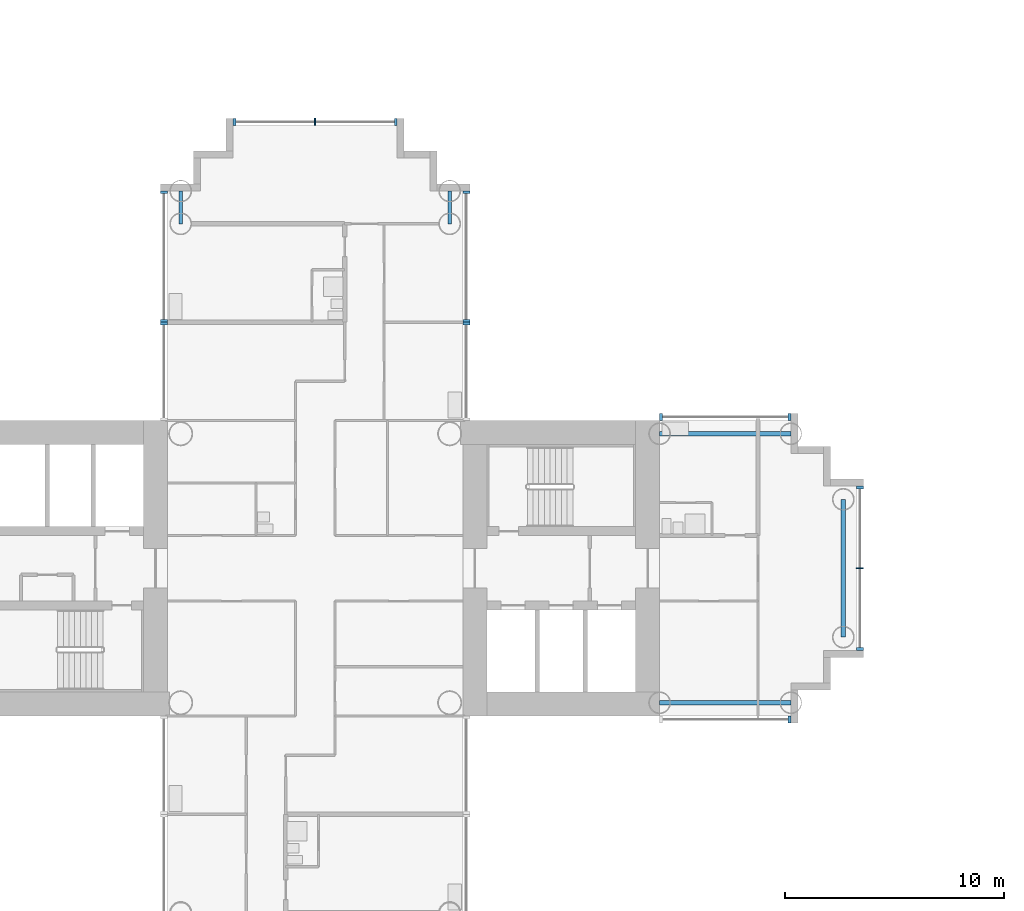
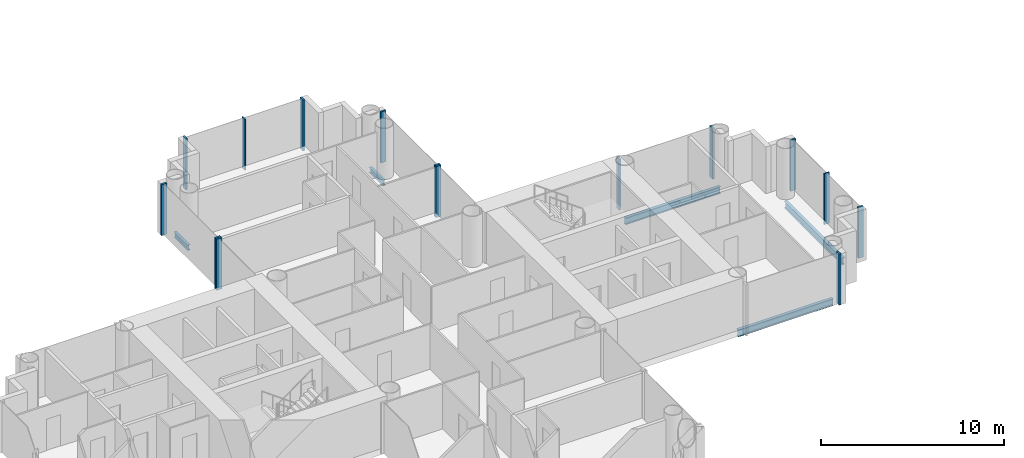
# One storey, part 4 of 22: 15 members, 5 beams, 8 elements without a shape of their own.
"""IFC4 building model written with IfcOpenShell, lengths in metres."""

from ifc_helpers import new_model, si_unit, direction, frame, origin, origin_2d, place, context, subcontext, project, spatial, rectangle, i_section, extrude, material, layer, layer_set, material_profile, profile_set, type_object, element, aggregate, save


model = new_model("IFC4")

# Units and contexts
model_context = context("Model", 3, precision=1e-05, world=origin(), true_north=direction((0.0, 1.0)))
body_context = subcontext(model_context, "Body", "Model", "MODEL_VIEW")
ifc_project = project(units=[si_unit("LENGTHUNIT", "METRE"), si_unit("AREAUNIT", "SQUARE_METRE"), si_unit("VOLUMEUNIT", "CUBIC_METRE"), si_unit("PLANEANGLEUNIT", "RADIAN"), si_unit("MASSUNIT", "GRAM", prefix="KILO")], contexts=[model_context])

# Site, building, storey
site_placement = place(None, origin())
site = spatial("IfcSite", under=ifc_project, at=site_placement, CompositionType="ELEMENT")
building_placement = place(site_placement, origin())
building = spatial("IfcBuilding", under=site, at=building_placement, Name="Ipe Terrace Towers", CompositionType="ELEMENT")
storey_placement = place(building_placement, frame((0.0, 0.0, 55.10009765625)))
storey = spatial("IfcBuildingStorey", under=building, at=storey_placement, Name="L14", CompositionType="ELEMENT", Elevation=55.10009765625)

# Beams
ifc_material_1 = material(Name="Steel S355", Category="steel")
ifc_material_profile_1 = material_profile(ifc_material_1, i_section(OverallWidth=0.175048828125, OverallDepth=0.35009765625, WebThickness=0.007080078125, FlangeThickness=0.010986328125, at=origin_2d()), Name="H-350x175x7x11")
ifc_profile_set_1 = profile_set([ifc_material_profile_1], Name="Steel S355")
beam_type_1 = type_object("IfcBeamType", Name="H04 EDGE BEAM H-350x175x7x11", PredefinedType="BEAM", material=ifc_profile_set_1)
for number, where, z_axis, x_axis, name in (
    (1, (-29.85009765625, 15.75, -0.5751953125), (0.0, 1.0, 0.0), (-1.0, 0.0, 0.0), "Edge beam T1-EB-B03-B05"),
    (2, (-42.14990234375, 15.75, -0.5751953125), (0.0, 1.0, 0.0), (-1.0, 0.0, 0.0), "Edge beam T1-EB-B04-B06"),
):
    element("IfcBeam", number, at=place(storey_placement, frame(where, z_axis=z_axis, x_axis=x_axis)), inside=storey, type_object=beam_type_1, Name=name, PredefinedType="BEAM", context=body_context, shape_type="SweptSolid", body=[
        extrude(i_section(OverallWidth=0.175048828125, OverallDepth=0.35009765625, WebThickness=0.007080078125, FlangeThickness=0.010986328125, at=origin_2d()), origin(), (0.0, 0.0, 1.0), 1.5),
    ])
ifc_material_2 = material(Name="Steel S355", Category="steel")
ifc_material_profile_2 = material_profile(ifc_material_2, i_section(OverallWidth=0.199951171875, OverallDepth=0.449951171875, WebThickness=0.009033203125, FlangeThickness=0.013916015625, at=origin_2d()), Name="H-450x200x9x14")
ifc_profile_set_2 = profile_set([ifc_material_profile_2], Name="Steel S355")
beam_type_2 = type_object("IfcBeamType", Name="H08 EDGE BEAM H-450x200x9x14", PredefinedType="BEAM", material=ifc_profile_set_2)
for number, where, z_axis, x_axis, name in (
    (3, (-20.25, -6.14990234375, -0.625), (1.0, 0.0, 0.0), (0.0, 1.0, 0.0), "Edge beam T1-EB-A01-A03"),
    (4, (-20.25, 6.14990234375, -0.625), (1.0, 0.0, 0.0), (0.0, 1.0, 0.0), "Edge beam T1-EB-A02-A04"),
):
    element("IfcBeam", number, at=place(storey_placement, frame(where, z_axis=z_axis, x_axis=x_axis)), inside=storey, type_object=beam_type_2, Name=name, PredefinedType="BEAM", context=body_context, shape_type="SweptSolid", body=[
        extrude(i_section(OverallWidth=0.199951171875, OverallDepth=0.449951171875, WebThickness=0.009033203125, FlangeThickness=0.013916015625, at=origin_2d()), origin(), (0.0, 0.0, 1.0), 6.0),
    ])
beam_placement = place(storey_placement, frame((-11.85009765625, -3.14990234375, -0.625), z_axis=(0.0, 1.0, 0.0), x_axis=(-1.0, 0.0, 0.0)))
element("IfcBeam", 5, at=beam_placement, inside=storey, type_object=beam_type_2, Name="Edge beam T1-EB-A05-A06", PredefinedType="BEAM", context=body_context, shape_type="SweptSolid", body=[
    extrude(i_section(OverallWidth=0.199951171875, OverallDepth=0.449951171875, WebThickness=0.009033203125, FlangeThickness=0.013916015625, at=origin_2d()), origin(), (0.0, 0.0, 1.0), 6.2998046875),
])

# Curtain wall, member
ifc_material_3 = material(Name="Aluminium alloy 6063-T6", Category="aluminium")
ifc_layer = layer(ifc_material_3, 0.320068359375)
ifc_layer_set = layer_set([ifc_layer], Name="TOWER UNITISED CURTAIN WALL")
curtain_wall_type = type_object("IfcCurtainWallType", Name="TOWER UNITISED CURTAIN WALL", PredefinedType="NOTDEFINED", material=ifc_layer_set)
curtain_wall_1_placement = place(storey_placement, origin())
curtain_wall_1 = element("IfcCurtainWall", 6, at=curtain_wall_1_placement, inside=storey, type_object=curtain_wall_type, Name="T1-CW-L14-20b curtain wall", PredefinedType="NOTDEFINED")
ifc_material_4 = material(Name="Aluminium alloy 6063-T6", Category="aluminium")
ifc_material_profile_3 = material_profile(ifc_material_4, rectangle(XDim=0.320068359375, YDim=0.1201171875, at=origin_2d()), Name="TOWER UNITISED CORNER MULLION 320 x 120")
ifc_profile_set_3 = profile_set([ifc_material_profile_3], Name="Aluminium alloy 6063-T6")
member_type_1 = type_object("IfcMemberType", Name="TOWER UNITISED CORNER MULLION 320 x 120", PredefinedType="MULLION", material=ifc_profile_set_3)
member_1_placement = place(storey_placement, frame((-14.31005859375, -6.909912109375, -0.300048828125), z_axis=(0.0, 0.0, 1.0), x_axis=(0.0, -1.0, 0.0)))
member_1 = element("IfcMember", 7, at=member_1_placement, type_object=member_type_1, Name="T1-CW-L14-20b mullion 2", PredefinedType="MULLION", context=body_context, shape_type="SweptSolid", body=[
    extrude(rectangle(XDim=0.320068359375, YDim=0.1201171875, at=origin_2d()), origin(), (0.0, 0.0, 1.0), 3.39990234375),
])
aggregate(curtain_wall_1, [member_1])

# Curtain wall, members
curtain_wall_2_placement = place(storey_placement, origin())
curtain_wall_2 = element("IfcCurtainWall", 8, at=curtain_wall_2_placement, inside=storey, type_object=curtain_wall_type, Name="T1-CW-L14-25a curtain wall", PredefinedType="NOTDEFINED")
member_2_placement = place(storey_placement, frame((-11.090087890625, -3.68994140625, -0.300048828125), z_axis=(0.0, 0.0, 1.0), x_axis=(1.0, 0.0, 0.0)))
member_2 = element("IfcMember", 9, at=member_2_placement, type_object=member_type_1, Name="T1-CW-L14-25a mullion 1", PredefinedType="MULLION", context=body_context, shape_type="SweptSolid", body=[
    extrude(rectangle(XDim=0.320068359375, YDim=0.1201171875, at=origin_2d()), origin(), (0.0, 0.0, 1.0), 3.39990234375),
])
member_3_placement = place(storey_placement, frame((-11.090087890625, 3.68994140625, -0.300048828125), z_axis=(0.0, 0.0, 1.0), x_axis=(1.0, 0.0, 0.0)))
member_3 = element("IfcMember", 10, at=member_3_placement, type_object=member_type_1, Name="T1-CW-L14-25a mullion 3", PredefinedType="MULLION", context=body_context, shape_type="SweptSolid", body=[
    extrude(rectangle(XDim=0.320068359375, YDim=0.1201171875, at=origin_2d()), origin(), (0.0, 0.0, 1.0), 3.39990234375),
])

curtain_wall_3_placement = place(storey_placement, origin())
curtain_wall_3 = element("IfcCurtainWall", 11, at=curtain_wall_3_placement, inside=storey, type_object=curtain_wall_type, Name="T1-CW-L14-30a curtain wall", PredefinedType="NOTDEFINED")
member_4_placement = place(storey_placement, frame((-14.31005859375, 6.909912109375, -0.300048828125), z_axis=(0.0, 0.0, 1.0), x_axis=(0.0, 1.0, 0.0)))
member_4 = element("IfcMember", 12, at=member_4_placement, type_object=member_type_1, Name="T1-CW-L14-30a mullion 1", PredefinedType="MULLION", context=body_context, shape_type="SweptSolid", body=[
    extrude(rectangle(XDim=0.320068359375, YDim=0.1201171875, at=origin_2d()), origin(), (0.0, 0.0, 1.0), 3.39990234375),
])
member_5_placement = place(storey_placement, frame((-20.18896484375, 6.909912109375, -0.300048828125), z_axis=(0.0, 0.0, 1.0), x_axis=(0.0, 1.0, 0.0)))
member_5 = element("IfcMember", 13, at=member_5_placement, type_object=member_type_1, Name="T1-CW-L14-30a mullion 2", PredefinedType="MULLION", context=body_context, shape_type="SweptSolid", body=[
    extrude(rectangle(XDim=0.320068359375, YDim=0.1201171875, at=origin_2d()), origin(), (0.0, 0.0, 1.0), 3.39990234375),
])
aggregate(curtain_wall_3, [member_4, member_5])

# Curtain wall, member
curtain_wall_4_placement = place(storey_placement, origin())
curtain_wall_4 = element("IfcCurtainWall", 14, at=curtain_wall_4_placement, inside=storey, type_object=curtain_wall_type, Name="T1-CW-L14-32a curtain wall", PredefinedType="NOTDEFINED")
member_6_placement = place(storey_placement, frame((-29.090087890625, 11.18994140625, -0.300048828125), z_axis=(0.0, 0.0, 1.0), x_axis=(1.0, 0.0, 0.0)))
member_6 = element("IfcMember", 15, at=member_6_placement, type_object=member_type_1, Name="T1-CW-L14-32a mullion 2", PredefinedType="MULLION", context=body_context, shape_type="SweptSolid", body=[
    extrude(rectangle(XDim=0.320068359375, YDim=0.1201171875, at=origin_2d()), origin(), (0.0, 0.0, 1.0), 3.39990234375),
])
aggregate(curtain_wall_4, [member_6])

# Curtain wall, members
curtain_wall_5_placement = place(storey_placement, origin())
curtain_wall_5 = element("IfcCurtainWall", 16, at=curtain_wall_5_placement, inside=storey, type_object=curtain_wall_type, Name="T1-CW-L14-33a curtain wall", PredefinedType="NOTDEFINED")
member_7_placement = place(storey_placement, frame((-29.090087890625, 11.31005859375, -0.300048828125), z_axis=(0.0, 0.0, 1.0), x_axis=(1.0, 0.0, 0.0)))
member_7 = element("IfcMember", 17, at=member_7_placement, type_object=member_type_1, Name="T1-CW-L14-33a mullion 1", PredefinedType="MULLION", context=body_context, shape_type="SweptSolid", body=[
    extrude(rectangle(XDim=0.320068359375, YDim=0.1201171875, at=origin_2d()), origin(), (0.0, 0.0, 1.0), 3.39990234375),
])
member_8_placement = place(storey_placement, frame((-29.090087890625, 17.18994140625, -0.300048828125), z_axis=(0.0, 0.0, 1.0), x_axis=(1.0, 0.0, 0.0)))
member_8 = element("IfcMember", 18, at=member_8_placement, type_object=member_type_1, Name="T1-CW-L14-33a mullion 2", PredefinedType="MULLION", context=body_context, shape_type="SweptSolid", body=[
    extrude(rectangle(XDim=0.320068359375, YDim=0.1201171875, at=origin_2d()), origin(), (0.0, 0.0, 1.0), 3.39990234375),
])
aggregate(curtain_wall_5, [member_7, member_8])

curtain_wall_6_placement = place(storey_placement, origin())
curtain_wall_6 = element("IfcCurtainWall", 19, at=curtain_wall_6_placement, inside=storey, type_object=curtain_wall_type, Name="T1-CW-L14-38a curtain wall", PredefinedType="NOTDEFINED")
member_9_placement = place(storey_placement, frame((-32.31005859375, 20.409912109375, -0.300048828125), z_axis=(0.0, 0.0, 1.0), x_axis=(0.0, 1.0, 0.0)))
member_9 = element("IfcMember", 20, at=member_9_placement, type_object=member_type_1, Name="T1-CW-L14-38a mullion 1", PredefinedType="MULLION", context=body_context, shape_type="SweptSolid", body=[
    extrude(rectangle(XDim=0.320068359375, YDim=0.1201171875, at=origin_2d()), origin(), (0.0, 0.0, 1.0), 3.39990234375),
])
member_10_placement = place(storey_placement, frame((-39.68994140625, 20.409912109375, -0.300048828125), z_axis=(0.0, 0.0, 1.0), x_axis=(0.0, 1.0, 0.0)))
member_10 = element("IfcMember", 21, at=member_10_placement, type_object=member_type_1, Name="T1-CW-L14-38a mullion 3", PredefinedType="MULLION", context=body_context, shape_type="SweptSolid", body=[
    extrude(rectangle(XDim=0.320068359375, YDim=0.1201171875, at=origin_2d()), origin(), (0.0, 0.0, 1.0), 3.39990234375),
])

curtain_wall_7_placement = place(storey_placement, origin())
curtain_wall_7 = element("IfcCurtainWall", 22, at=curtain_wall_7_placement, inside=storey, type_object=curtain_wall_type, Name="T1-CW-L14-43a curtain wall", PredefinedType="NOTDEFINED")
member_11_placement = place(storey_placement, frame((-42.909912109375, 17.18994140625, -0.300048828125), z_axis=(0.0, 0.0, 1.0), x_axis=(-1.0, 0.0, 0.0)))
member_11 = element("IfcMember", 23, at=member_11_placement, type_object=member_type_1, Name="T1-CW-L14-43a mullion 1", PredefinedType="MULLION", context=body_context, shape_type="SweptSolid", body=[
    extrude(rectangle(XDim=0.320068359375, YDim=0.1201171875, at=origin_2d()), origin(), (0.0, 0.0, 1.0), 3.39990234375),
])
member_12_placement = place(storey_placement, frame((-42.909912109375, 11.31005859375, -0.300048828125), z_axis=(0.0, 0.0, 1.0), x_axis=(-1.0, 0.0, 0.0)))
member_12 = element("IfcMember", 24, at=member_12_placement, type_object=member_type_1, Name="T1-CW-L14-43a mullion 2", PredefinedType="MULLION", context=body_context, shape_type="SweptSolid", body=[
    extrude(rectangle(XDim=0.320068359375, YDim=0.1201171875, at=origin_2d()), origin(), (0.0, 0.0, 1.0), 3.39990234375),
])
aggregate(curtain_wall_7, [member_11, member_12])

# Curtain wall, member
curtain_wall_8_placement = place(storey_placement, origin())
curtain_wall_8 = element("IfcCurtainWall", 25, at=curtain_wall_8_placement, inside=storey, type_object=curtain_wall_type, Name="T1-CW-L14-44a curtain wall", PredefinedType="NOTDEFINED")
member_13_placement = place(storey_placement, frame((-42.909912109375, 11.18994140625, -0.300048828125), z_axis=(0.0, 0.0, 1.0), x_axis=(-1.0, 0.0, 0.0)))
member_13 = element("IfcMember", 26, at=member_13_placement, type_object=member_type_1, Name="T1-CW-L14-44a mullion 1", PredefinedType="MULLION", context=body_context, shape_type="SweptSolid", body=[
    extrude(rectangle(XDim=0.320068359375, YDim=0.1201171875, at=origin_2d()), origin(), (0.0, 0.0, 1.0), 3.39990234375),
])
aggregate(curtain_wall_8, [member_13])

# Member
ifc_material_5 = material(Name="Aluminium alloy 6063-T6", Category="aluminium")
ifc_material_profile_4 = material_profile(ifc_material_5, rectangle(XDim=0.320068359375, YDim=0.06494140625, at=origin_2d()), Name="TOWER UNITISED MULLION 320 x 65")
ifc_profile_set_4 = profile_set([ifc_material_profile_4], Name="Aluminium alloy 6063-T6")
member_type_2 = type_object("IfcMemberType", Name="TOWER UNITISED MULLION 320 x 65", PredefinedType="MULLION", material=ifc_profile_set_4)
member_14_placement = place(storey_placement, frame((-11.090087890625, 0.0, -0.300048828125), z_axis=(0.0, 0.0, 1.0), x_axis=(1.0, 0.0, 0.0)))
member_14 = element("IfcMember", 27, at=member_14_placement, type_object=member_type_2, Name="T1-CW-L14-25a mullion 2", PredefinedType="MULLION", context=body_context, shape_type="SweptSolid", body=[
    extrude(rectangle(XDim=0.320068359375, YDim=0.06494140625, at=origin_2d()), origin(), (0.0, 0.0, 1.0), 3.39990234375),
])

aggregate(curtain_wall_2, [member_2, member_14, member_3])

member_15_placement = place(storey_placement, frame((-36.0, 20.409912109375, -0.300048828125), z_axis=(0.0, 0.0, 1.0), x_axis=(0.0, 1.0, 0.0)))
member_15 = element("IfcMember", 28, at=member_15_placement, type_object=member_type_2, Name="T1-CW-L14-38a mullion 2", PredefinedType="MULLION", context=body_context, shape_type="SweptSolid", body=[
    extrude(rectangle(XDim=0.320068359375, YDim=0.06494140625, at=origin_2d()), origin(), (0.0, 0.0, 1.0), 3.39990234375),
])

aggregate(curtain_wall_6, [member_9, member_15, member_10])

save(model, "model.ifc")
